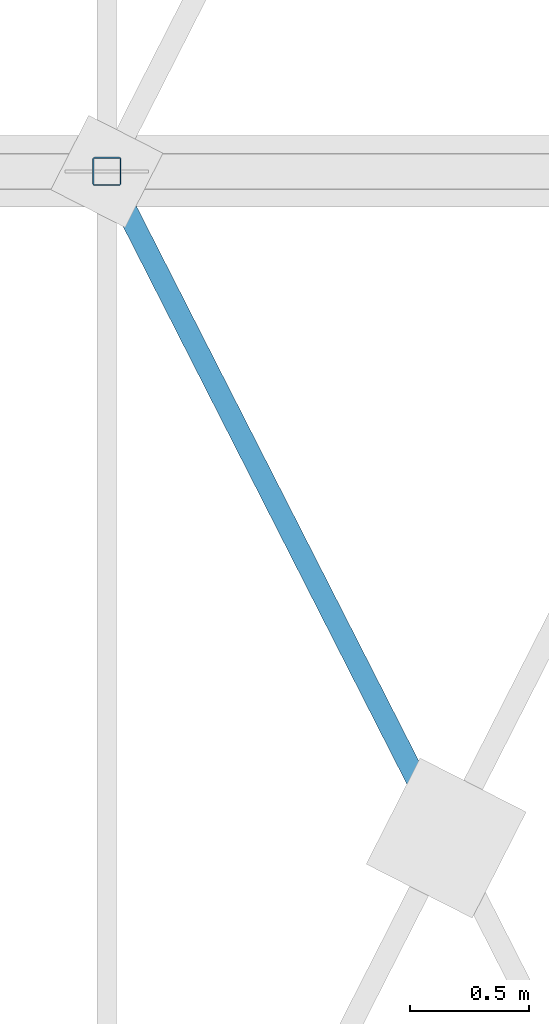
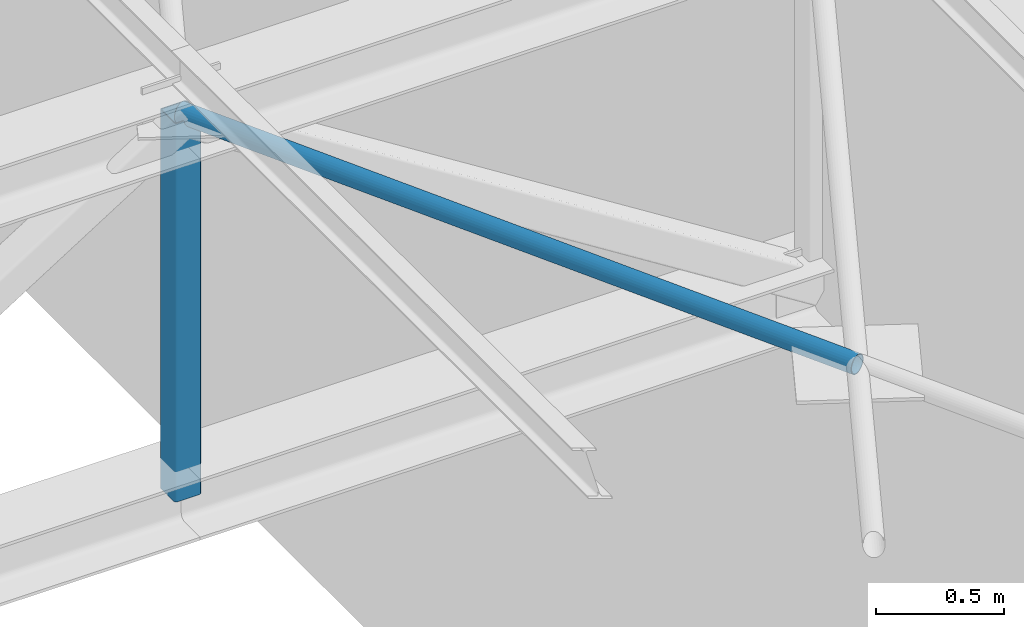
# One storey, part 39 of 55: 2 members.
"""IFC4 building model written with IfcOpenShell, lengths in metres."""

from ifc_helpers import new_model, si_unit, direction, frame, origin, origin_2d, place, context, subcontext, project, spatial, hollow_rectangle, hollow_circle, extrude, material, material_profile, profile_set, type_object, element, save


model = new_model("IFC4")

# Units and contexts
model_context = context("Model", 3, precision=1e-05, world=origin(), true_north=direction((0.0, 1.0)))
body_context = subcontext(model_context, "Body", "Model", "MODEL_VIEW")
ifc_project = project(units=[si_unit("LENGTHUNIT", "METRE"), si_unit("AREAUNIT", "SQUARE_METRE"), si_unit("VOLUMEUNIT", "CUBIC_METRE"), si_unit("PLANEANGLEUNIT", "RADIAN"), si_unit("MASSUNIT", "GRAM", prefix="KILO")], contexts=[model_context])

# Site, building, storey
site_placement = place(None, origin())
site = spatial("IfcSite", under=ifc_project, at=site_placement, CompositionType="ELEMENT")
building_placement = place(site_placement, origin())
building = spatial("IfcBuilding", under=site, at=building_placement, Name="Lunette Opera House", CompositionType="ELEMENT")
storey_placement = place(building_placement, frame((0.0, 0.0, 34.0)))
storey = spatial("IfcBuildingStorey", under=building, at=storey_placement, Name="L06", CompositionType="ELEMENT", Elevation=34.0)

# Members
ifc_material_1 = material(Name="Steel S355", Category="steel")
ifc_material_profile_1 = material_profile(ifc_material_1, hollow_circle(Radius=0.04443359375, WallThickness=0.00390625, at=origin_2d()), Name="CHS 88.9X4")
ifc_profile_set_1 = profile_set([ifc_material_profile_1], Name="Steel S355")
member_type_1 = type_object("IfcMemberType", Name="BRACING CHS 88.9X4", PredefinedType="BRACE", material=ifc_profile_set_1)
member_1_placement = place(storey_placement, frame((105.97509765625, 125.199951171875, 5.574951171875), z_axis=(-0.453574198899, 0.891218517589, 0.0), x_axis=(-0.891218517589, -0.453574198899, 0.0)))
element("IfcMember", 1, at=member_1_placement, inside=storey, type_object=member_type_1, Name="mem-ST-L06-SR-TR-BRQ1P8B segment 2", PredefinedType="BRACE", context=body_context, shape_type="SweptSolid", body=[
    extrude(hollow_circle(Radius=0.04443359375, WallThickness=0.00390625, at=origin_2d()), origin(), (0.0, 0.0, 1.0), 3.141845703125),
])
ifc_material_2 = material(Name="Steel S355", Category="steel")
ifc_material_profile_2 = material_profile(ifc_material_2, hollow_rectangle(XDim=0.1201171875, YDim=0.1201171875, WallThickness=0.0048828125, InnerFilletRadius=0.0048828125, OuterFilletRadius=0.010009765625, at=origin_2d()), Name="RHS 120X120X5")
ifc_profile_set_2 = profile_set([ifc_material_profile_2], Name="Steel S355")
member_type_2 = type_object("IfcMemberType", Name="VERTICAL RHS 120X120X5", PredefinedType="POST", material=ifc_profile_set_2)
member_2_placement = place(storey_placement, frame((104.550048828125, 128.0, 3.77490234375), z_axis=(0.0, 0.0, 1.0), x_axis=(1.0, 0.0, 0.0)))
element("IfcMember", 2, at=member_2_placement, inside=storey, type_object=member_type_2, Name="mem-ST-L06-SR-TR02-TV8", PredefinedType="POST", context=body_context, shape_type="SweptSolid", body=[
    extrude(hollow_rectangle(XDim=0.1201171875, YDim=0.1201171875, WallThickness=0.0048828125, InnerFilletRadius=0.0048828125, OuterFilletRadius=0.010009765625, at=origin_2d()), origin(), (0.0, 0.0, 1.0), 1.800048828125),
])

save(model, "model.ifc")
